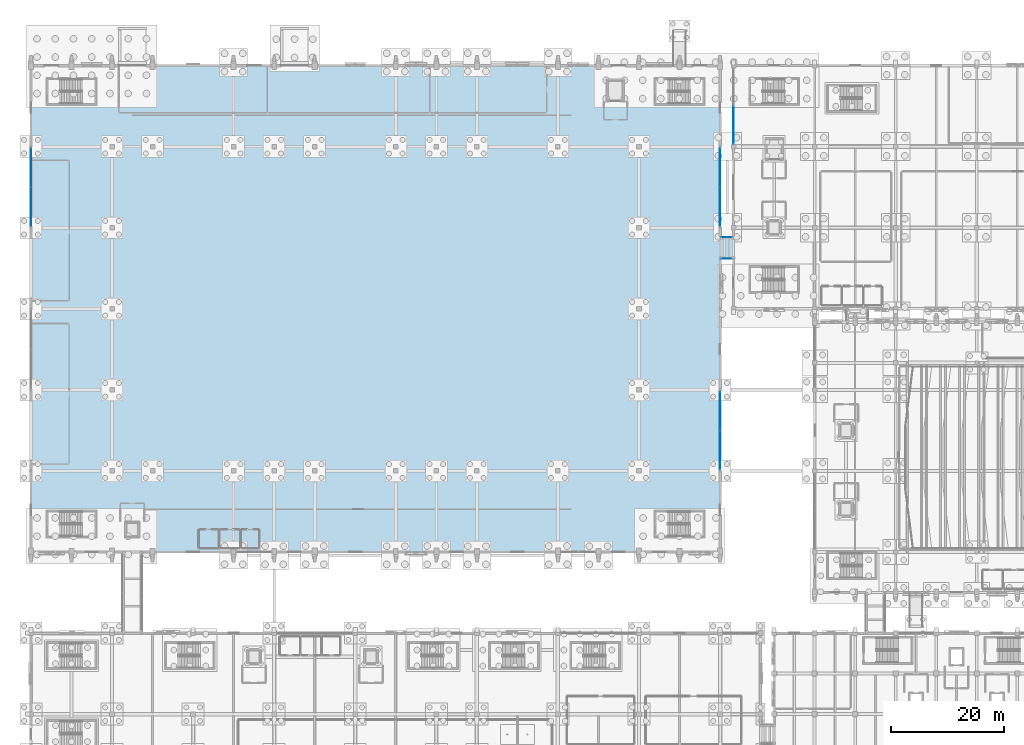
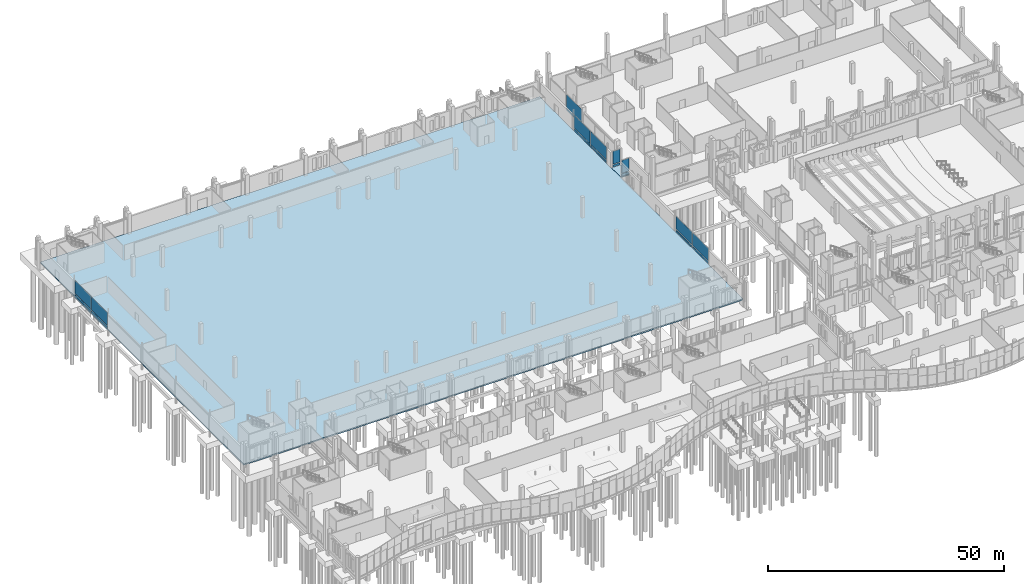
# One storey, part 125 of 192: 18 plates, 2 slabs, 6 elements without a shape of their own.
"""IFC4 building model written with IfcOpenShell, lengths in metres."""

from ifc_helpers import new_model, si_unit, direction, frame, origin, origin_2d, place, context, subcontext, project, spatial, polyline, rectangle, outline, extrude, material, layer, layer_set, type_object, element, aggregate, save


model = new_model("IFC4")

# Units and contexts
model_context = context("Model", 3, precision=1e-05, world=origin(), true_north=direction((0.0, 1.0)))
body_context = subcontext(model_context, "Body", "Model", "MODEL_VIEW")
ifc_project = project(units=[si_unit("LENGTHUNIT", "METRE"), si_unit("AREAUNIT", "SQUARE_METRE"), si_unit("VOLUMEUNIT", "CUBIC_METRE"), si_unit("PLANEANGLEUNIT", "RADIAN"), si_unit("MASSUNIT", "GRAM", prefix="KILO")], contexts=[model_context])

# Site, building, storey
site_placement = place(None, origin())
site = spatial("IfcSite", under=ifc_project, at=site_placement, CompositionType="ELEMENT")
building_placement = place(site_placement, origin())
building = spatial("IfcBuilding", under=site, at=building_placement, Name="Cendralis Lancet Convention Centre", CompositionType="ELEMENT")
storey_placement = place(building_placement, origin())
storey = spatial("IfcBuildingStorey", under=building, at=storey_placement, Name="L00", CompositionType="ELEMENT", Elevation=0.0)

# Curtain wall, plate
ifc_material_1 = material(Name="Anodised bronze architectural aluminium", Category="aluminium")
curtain_wall_type_1 = type_object("IfcCurtainWallType", Name="ARC-CW-BR01", PredefinedType="USERDEFINED", material=ifc_material_1)
curtain_wall_1_placement = place(storey_placement, origin())
curtain_wall_1 = element("IfcCurtainWall", 1, at=curtain_wall_1_placement, inside=storey, type_object=curtain_wall_type_1, Name="L00 Curtain Wall CW-BR1 #191", ObjectType="CURTAIN WALL", PredefinedType="USERDEFINED")
ifc_material_2 = material(Name="Double-glazed low-E solar-control glass", Category="glass")
ifc_layer_1 = layer(ifc_material_2, 0.035888671875, Name="Double-glazed low-E solar-control glass")
ifc_layer_set_1 = layer_set([ifc_layer_1], Name="Double-glazed low-E solar-control glass")
plate_type_1 = type_object("IfcPlateType", Name="ARC-PL-GL01", PredefinedType="CURTAIN_PANEL", material=ifc_layer_set_1)
plate_1_placement = place(storey_placement, frame((123.60009765625, 102.47998046875, 0.81982421875), z_axis=(0.0, 0.0, 1.0), x_axis=(1.0, 0.0, 0.0)))
plate_1 = element("IfcPlate", 2, at=plate_1_placement, type_object=plate_type_1, Name="Vision Glass Panel CW2-CW-BR1-L00-191-PG0", PredefinedType="CURTAIN_PANEL", context=body_context, shape_type="SweptSolid", body=[
    extrude(rectangle(XDim=1.760009765625, YDim=0.035888671875, at=origin_2d()), origin(), (0.0, 0.0, 1.0), 3.360107421875),
])

curtain_wall_2_placement = place(storey_placement, origin())
curtain_wall_2 = element("IfcCurtainWall", 3, at=curtain_wall_2_placement, inside=storey, type_object=curtain_wall_type_1, Name="L00 Curtain Wall CW-BR1 #192", ObjectType="CURTAIN WALL", PredefinedType="USERDEFINED")
plate_2_placement = place(storey_placement, frame((123.60009765625, 106.320068359375, 0.81982421875), z_axis=(0.0, 0.0, 1.0), x_axis=(1.0, 0.0, 0.0)))
plate_2 = element("IfcPlate", 4, at=plate_2_placement, type_object=plate_type_1, Name="Vision Glass Panel CW2-CW-BR1-L00-192-PG0", PredefinedType="CURTAIN_PANEL", context=body_context, shape_type="SweptSolid", body=[
    extrude(rectangle(XDim=1.760009765625, YDim=0.035888671875, at=origin_2d()), origin(), (0.0, 0.0, 1.0), 3.360107421875),
])

# Curtain wall, plates
curtain_wall_type_2 = type_object("IfcCurtainWallType", Name="ARC-CW-GB01", PredefinedType="USERDEFINED", material=ifc_material_1)
curtain_wall_3_placement = place(storey_placement, origin())
curtain_wall_3 = element("IfcCurtainWall", 5, at=curtain_wall_3_placement, inside=storey, type_object=curtain_wall_type_2, Name="L00 Curtain Wall CW-GB1 #094", ObjectType="CURTAIN WALL", PredefinedType="USERDEFINED")
ifc_layer_2 = layer(ifc_material_2, 0.035888671875, Name="Double-glazed low-E solar-control glass")
ifc_layer_set_2 = layer_set([ifc_layer_2], Name="Double-glazed low-E solar-control glass")
plate_type_2 = type_object("IfcPlateType", Name="ARC-PL-GL02", PredefinedType="CURTAIN_PANEL", material=ifc_layer_set_2)
plate_3_placement = place(storey_placement, frame((0.0, 111.7138671875, 0.830078125), z_axis=(0.0, 0.0, 1.0), x_axis=(0.0, 1.0, 0.0)))
plate_3 = element("IfcPlate", 6, at=plate_3_placement, type_object=plate_type_2, Name="Vision Glass Panel CW2-CW-GB1-L00-094-PG0", PredefinedType="CURTAIN_PANEL", context=body_context, shape_type="SweptSolid", body=[
    extrude(rectangle(XDim=6.792236328125, YDim=0.035888671875, at=origin_2d()), origin(), (0.0, 0.0, 1.0), 3.344970703125),
])
plate_4_placement = place(storey_placement, frame((0.0, 118.68603515625, 0.830078125), z_axis=(0.0, 0.0, 1.0), x_axis=(0.0, 1.0, 0.0)))
plate_4 = element("IfcPlate", 7, at=plate_4_placement, type_object=plate_type_2, Name="Vision Glass Panel CW2-CW-GB1-L00-094-PG1", PredefinedType="CURTAIN_PANEL", context=body_context, shape_type="SweptSolid", body=[
    extrude(rectangle(XDim=6.792236328125, YDim=0.035888671875, at=origin_2d()), origin(), (0.0, 0.0, 1.0), 3.344970703125),
])

curtain_wall_4_placement = place(storey_placement, origin())
curtain_wall_4 = element("IfcCurtainWall", 8, at=curtain_wall_4_placement, inside=storey, type_object=curtain_wall_type_2, Name="L00 Curtain Wall CW-GB1 #095", ObjectType="CURTAIN WALL", PredefinedType="USERDEFINED")
plate_5_placement = place(storey_placement, frame((122.39990234375, 75.486083984375, 0.830078125), z_axis=(0.0, 0.0, 1.0), x_axis=(0.0, -1.0, 0.0)))
plate_5 = element("IfcPlate", 9, at=plate_5_placement, type_object=plate_type_2, Name="Vision Glass Panel CW2-CW-GB1-L00-095-PG0", PredefinedType="CURTAIN_PANEL", context=body_context, shape_type="SweptSolid", body=[
    extrude(rectangle(XDim=6.792236328125, YDim=0.035888671875, at=origin_2d()), origin(), (0.0, 0.0, 1.0), 3.344970703125),
])
plate_6_placement = place(storey_placement, frame((122.39990234375, 68.513916015625, 0.830078125), z_axis=(0.0, 0.0, 1.0), x_axis=(0.0, -1.0, 0.0)))
plate_6 = element("IfcPlate", 10, at=plate_6_placement, type_object=plate_type_2, Name="Vision Glass Panel CW2-CW-GB1-L00-095-PG1", PredefinedType="CURTAIN_PANEL", context=body_context, shape_type="SweptSolid", body=[
    extrude(rectangle(XDim=6.792236328125, YDim=0.035888671875, at=origin_2d()), origin(), (0.0, 0.0, 1.0), 3.344970703125),
])

curtain_wall_5_placement = place(storey_placement, origin())
curtain_wall_5 = element("IfcCurtainWall", 11, at=curtain_wall_5_placement, inside=storey, type_object=curtain_wall_type_2, Name="L00 Curtain Wall CW-GB1 #096", ObjectType="CURTAIN WALL", PredefinedType="USERDEFINED")
plate_7_placement = place(storey_placement, frame((122.39990234375, 118.68603515625, 0.830078125), z_axis=(0.0, 0.0, 1.0), x_axis=(0.0, -1.0, 0.0)))
plate_7 = element("IfcPlate", 12, at=plate_7_placement, type_object=plate_type_2, Name="Vision Glass Panel CW2-CW-GB1-L00-096-PG0", PredefinedType="CURTAIN_PANEL", context=body_context, shape_type="SweptSolid", body=[
    extrude(rectangle(XDim=6.792236328125, YDim=0.035888671875, at=origin_2d()), origin(), (0.0, 0.0, 1.0), 3.344970703125),
])
plate_8_placement = place(storey_placement, frame((122.39990234375, 111.7138671875, 0.830078125), z_axis=(0.0, 0.0, 1.0), x_axis=(0.0, -1.0, 0.0)))
plate_8 = element("IfcPlate", 13, at=plate_8_placement, type_object=plate_type_2, Name="Vision Glass Panel CW2-CW-GB1-L00-096-PG1", PredefinedType="CURTAIN_PANEL", context=body_context, shape_type="SweptSolid", body=[
    extrude(rectangle(XDim=6.792236328125, YDim=0.035888671875, at=origin_2d()), origin(), (0.0, 0.0, 1.0), 3.344970703125),
])

# Curtain wall, plate
curtain_wall_type_3 = type_object("IfcCurtainWallType", Name="ARC-CW-BL01", PredefinedType="USERDEFINED", material=ifc_material_1)
curtain_wall_6_placement = place(storey_placement, origin())
curtain_wall_6 = element("IfcCurtainWall", 14, at=curtain_wall_6_placement, inside=storey, type_object=curtain_wall_type_3, Name="L00 Curtain Wall CW-BL1 #146", ObjectType="CURTAIN WALL", PredefinedType="USERDEFINED")
ifc_layer_3 = layer(ifc_material_2, 0.035888671875, Name="Double-glazed low-E solar-control glass")
ifc_layer_set_3 = layer_set([ifc_layer_3], Name="Double-glazed low-E solar-control glass")
plate_type_3 = type_object("IfcPlateType", Name="ARC-PL-GL03", PredefinedType="CURTAIN_PANEL", material=ifc_layer_set_3)
plate_9_placement = place(storey_placement, frame((124.800048828125, 126.22509765625, 0.81982421875), z_axis=(0.0, 0.0, 1.0), x_axis=(0.0, 1.0, 0.0)))
plate_9 = element("IfcPlate", 15, at=plate_9_placement, type_object=plate_type_3, Name="Vision Glass Panel CW2-CW-BL1-L00-146-PG0", PredefinedType="CURTAIN_PANEL", context=body_context, shape_type="SweptSolid", body=[
    extrude(rectangle(XDim=6.590087890625, YDim=0.035888671875, at=origin_2d()), origin(), (0.0, 0.0, 1.0), 3.364990234375),
])

# Plate
ifc_material_3 = material(Name="Insulated ceramic-fritted spandrel glass", Category="glass")
ifc_layer_4 = layer(ifc_material_3, 0.044921875, Name="Insulated ceramic-fritted spandrel glass")
ifc_layer_set_4 = layer_set([ifc_layer_4], Name="Insulated ceramic-fritted spandrel glass")
plate_type_4 = type_object("IfcPlateType", Name="ARC-PL-SP01", PredefinedType="CURTAIN_PANEL", material=ifc_layer_set_4)
plate_10_placement = place(storey_placement, frame((0.0, 111.7138671875, 0.080078125), z_axis=(0.0, 0.0, 1.0), x_axis=(0.0, 1.0, 0.0)))
plate_10 = element("IfcPlate", 16, at=plate_10_placement, type_object=plate_type_4, Name="Spandrel Panel CW2-CW-GB1-L00-094-PS0", PredefinedType="CURTAIN_PANEL", context=body_context, shape_type="SweptSolid", body=[
    extrude(rectangle(XDim=6.792236328125, YDim=0.044921875, at=origin_2d()), origin(), (0.0, 0.0, 1.0), 0.590087890625),
])

plate_11_placement = place(storey_placement, frame((0.0, 118.68603515625, 0.080078125), z_axis=(0.0, 0.0, 1.0), x_axis=(0.0, 1.0, 0.0)))
plate_11 = element("IfcPlate", 17, at=plate_11_placement, type_object=plate_type_4, Name="Spandrel Panel CW2-CW-GB1-L00-094-PS1", PredefinedType="CURTAIN_PANEL", context=body_context, shape_type="SweptSolid", body=[
    extrude(rectangle(XDim=6.792236328125, YDim=0.044921875, at=origin_2d()), origin(), (0.0, 0.0, 1.0), 0.590087890625),
])

aggregate(curtain_wall_3, [plate_10, plate_3, plate_11, plate_4])

plate_12_placement = place(storey_placement, frame((122.39990234375, 75.486083984375, 0.080078125), z_axis=(0.0, 0.0, 1.0), x_axis=(0.0, -1.0, 0.0)))
plate_12 = element("IfcPlate", 18, at=plate_12_placement, type_object=plate_type_4, Name="Spandrel Panel CW2-CW-GB1-L00-095-PS0", PredefinedType="CURTAIN_PANEL", context=body_context, shape_type="SweptSolid", body=[
    extrude(rectangle(XDim=6.792236328125, YDim=0.044921875, at=origin_2d()), origin(), (0.0, 0.0, 1.0), 0.590087890625),
])

plate_13_placement = place(storey_placement, frame((122.39990234375, 68.513916015625, 0.080078125), z_axis=(0.0, 0.0, 1.0), x_axis=(0.0, -1.0, 0.0)))
plate_13 = element("IfcPlate", 19, at=plate_13_placement, type_object=plate_type_4, Name="Spandrel Panel CW2-CW-GB1-L00-095-PS1", PredefinedType="CURTAIN_PANEL", context=body_context, shape_type="SweptSolid", body=[
    extrude(rectangle(XDim=6.792236328125, YDim=0.044921875, at=origin_2d()), origin(), (0.0, 0.0, 1.0), 0.590087890625),
])

aggregate(curtain_wall_4, [plate_12, plate_5, plate_13, plate_6])

plate_14_placement = place(storey_placement, frame((122.39990234375, 118.68603515625, 0.080078125), z_axis=(0.0, 0.0, 1.0), x_axis=(0.0, -1.0, 0.0)))
plate_14 = element("IfcPlate", 20, at=plate_14_placement, type_object=plate_type_4, Name="Spandrel Panel CW2-CW-GB1-L00-096-PS0", PredefinedType="CURTAIN_PANEL", context=body_context, shape_type="SweptSolid", body=[
    extrude(rectangle(XDim=6.792236328125, YDim=0.044921875, at=origin_2d()), origin(), (0.0, 0.0, 1.0), 0.590087890625),
])

plate_15_placement = place(storey_placement, frame((122.39990234375, 111.7138671875, 0.080078125), z_axis=(0.0, 0.0, 1.0), x_axis=(0.0, -1.0, 0.0)))
plate_15 = element("IfcPlate", 21, at=plate_15_placement, type_object=plate_type_4, Name="Spandrel Panel CW2-CW-GB1-L00-096-PS1", PredefinedType="CURTAIN_PANEL", context=body_context, shape_type="SweptSolid", body=[
    extrude(rectangle(XDim=6.792236328125, YDim=0.044921875, at=origin_2d()), origin(), (0.0, 0.0, 1.0), 0.590087890625),
])

aggregate(curtain_wall_5, [plate_14, plate_7, plate_15, plate_8])

plate_16_placement = place(storey_placement, frame((124.800048828125, 126.22509765625, 0.06982421875), z_axis=(0.0, 0.0, 1.0), x_axis=(0.0, 1.0, 0.0)))
plate_16 = element("IfcPlate", 22, at=plate_16_placement, type_object=plate_type_4, Name="Spandrel Panel CW2-CW-BL1-L00-146-PS0", PredefinedType="CURTAIN_PANEL", context=body_context, shape_type="SweptSolid", body=[
    extrude(rectangle(XDim=6.590087890625, YDim=0.044921875, at=origin_2d()), origin(), (0.0, 0.0, 1.0), 0.610107421875),
])

aggregate(curtain_wall_6, [plate_16, plate_9])

plate_17_placement = place(storey_placement, frame((123.60009765625, 102.47998046875, 0.06982421875), z_axis=(0.0, 0.0, 1.0), x_axis=(1.0, 0.0, 0.0)))
plate_17 = element("IfcPlate", 23, at=plate_17_placement, type_object=plate_type_4, Name="Spandrel Panel CW2-CW-BR1-L00-191-PS0", PredefinedType="CURTAIN_PANEL", context=body_context, shape_type="SweptSolid", body=[
    extrude(rectangle(XDim=1.760009765625, YDim=0.044921875, at=origin_2d()), origin(), (0.0, 0.0, 1.0), 0.610107421875),
])

aggregate(curtain_wall_1, [plate_17, plate_1])

plate_18_placement = place(storey_placement, frame((123.60009765625, 106.320068359375, 0.06982421875), z_axis=(0.0, 0.0, 1.0), x_axis=(1.0, 0.0, 0.0)))
plate_18 = element("IfcPlate", 24, at=plate_18_placement, type_object=plate_type_4, Name="Spandrel Panel CW2-CW-BR1-L00-192-PS0", PredefinedType="CURTAIN_PANEL", context=body_context, shape_type="SweptSolid", body=[
    extrude(rectangle(XDim=1.760009765625, YDim=0.044921875, at=origin_2d()), origin(), (0.0, 0.0, 1.0), 0.610107421875),
])

aggregate(curtain_wall_2, [plate_18, plate_2])

# Slabs
ifc_material_4 = material(Name="Concrete G35 (C35/45)", Category="concrete")
ifc_layer_5 = layer(ifc_material_4, 0.320068359375, Name="Concrete G35 (C35/45)")
ifc_layer_set_5 = layer_set([ifc_layer_5], Name="Concrete G35 (C35/45)")
slab_type_1 = type_object("IfcSlabType", Name="STR-SL-BS32", PredefinedType="BASESLAB", material=ifc_layer_set_5)
slab_1_placement = place(storey_placement, frame((0.0, 0.0, -0.320068359375)))
element("IfcSlab", 25, at=slab_1_placement, inside=storey, type_object=slab_type_1, Name="L00 V1 Floor Slab BS-320", PredefinedType="BASESLAB", context=body_context, shape_type="SweptSolid", body=[
    extrude(outline(polyline([(0.0, 50.39990234375), (122.39990234375, 50.39990234375), (122.39990234375, 136.800048828125), (0.0, 136.800048828125), (0.0, 50.39990234375)])), origin(), (0.0, 0.0, 1.0), 0.320068359375),
])
ifc_layer_6 = layer(ifc_material_4, 0.219970703125, Name="Concrete G35 (C35/45)")
ifc_layer_set_6 = layer_set([ifc_layer_6], Name="Concrete G35 (C35/45)")
slab_type_2 = type_object("IfcSlabType", Name="STR-SL-FS22", PredefinedType="FLOOR", material=ifc_layer_set_6)
slab_2_placement = place(storey_placement, frame((0.0, 0.0, -0.219970703125)))
element("IfcSlab", 26, at=slab_2_placement, inside=storey, type_object=slab_type_2, Name="Exhibition-Ballroom Link Bridge Link Slab L00", PredefinedType="FLOOR", context=body_context, shape_type="SweptSolid", body=[
    extrude(outline(polyline([(122.75, 102.39990234375), (124.449951171875, 102.39990234375), (124.800048828125, 102.75), (124.800048828125, 106.050048828125), (124.449951171875, 106.39990234375), (122.75, 106.39990234375), (122.39990234375, 106.050048828125), (122.39990234375, 102.75), (122.75, 102.39990234375)])), origin(), (0.0, 0.0, 1.0), 0.219970703125),
])

save(model, "model.ifc")
